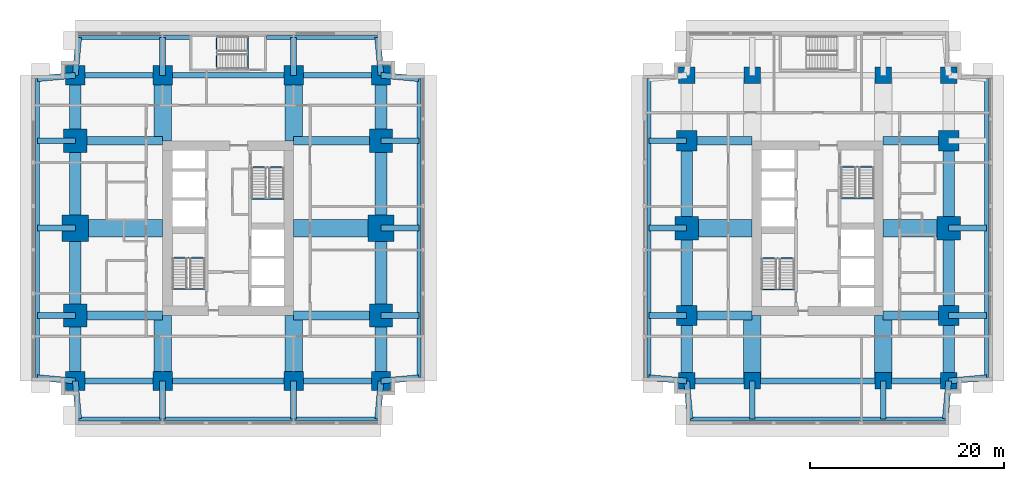
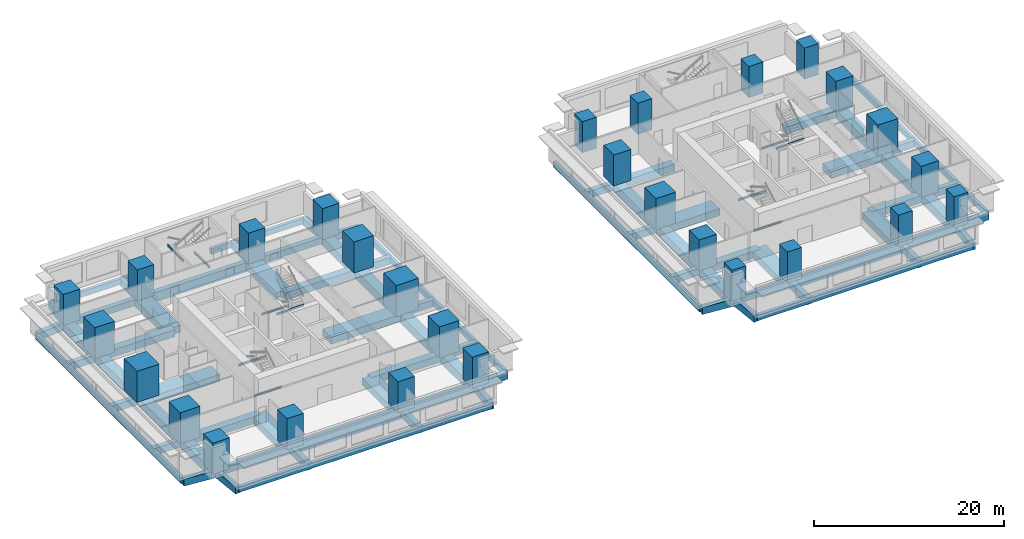
# One storey, part 1 of 11: 88 beams, 28 columns.
"""IFC4 building model written with IfcOpenShell, lengths in metres."""

from ifc_helpers import new_model, si_unit, direction, frame, origin, origin_2d, place, context, subcontext, project, spatial, rectangle, i_section, extrude, material, material_profile, profile_set, type_object, element, save


model = new_model("IFC4")

# Units and contexts
model_context = context("Model", 3, precision=1e-05, world=origin(), true_north=direction((0.0, 1.0)))
body_context = subcontext(model_context, "Body", "Model", "MODEL_VIEW")
ifc_project = project(units=[si_unit("LENGTHUNIT", "METRE"), si_unit("AREAUNIT", "SQUARE_METRE"), si_unit("VOLUMEUNIT", "CUBIC_METRE"), si_unit("PLANEANGLEUNIT", "RADIAN"), si_unit("MASSUNIT", "GRAM", prefix="KILO")], contexts=[model_context])

# Site, building, storey
site_placement = place(None, origin())
site = spatial("IfcSite", under=ifc_project, at=site_placement, CompositionType="ELEMENT")
building_placement = place(site_placement, origin())
building = spatial("IfcBuilding", under=site, at=building_placement, Name="Namib Vertical Campus", CompositionType="ELEMENT")
storey_placement = place(building_placement, frame((0.0, 0.0, 53.0)))
storey = spatial("IfcBuildingStorey", under=building, at=storey_placement, Name="L12", CompositionType="ELEMENT", Elevation=53.0)

# Columns
ifc_material_1 = material(Name="Concrete C60/75", Category="concrete")
ifc_material_profile_1 = material_profile(ifc_material_1, rectangle(XDim=1.699951171875, YDim=1.699951171875, at=origin_2d()))
ifc_profile_set_1 = profile_set([ifc_material_profile_1], Name="Concrete C60/75")
column_type_1 = type_object("IfcColumnType", Name="Column RC 1700x1700", PredefinedType="COLUMN", material=ifc_profile_set_1)
for number, where, z_axis, x_axis, name in (
    (1, (67.5, 4.5, 0.0), (0.0, 0.0, 1.0), (1.0, 0.0, 0.0), "Column C170 L12"),
    (2, (74.25, 4.5, 0.0), (0.0, 0.0, 1.0), (1.0, 0.0, 0.0), "Column C170 L12"),
    (3, (87.75, 4.5, 0.0), (0.0, 0.0, 1.0), (1.0, 0.0, 0.0), "Column C170 L12"),
    (4, (94.5, 4.5, 0.0), (0.0, 0.0, 1.0), (1.0, 0.0, 0.0), "Column C170 L12"),
    (5, (67.5, 36.0, 0.0), (0.0, 0.0, 1.0), (1.0, 0.0, 0.0), "Column C170 L12"),
    (6, (74.25, 36.0, 0.0), (0.0, 0.0, 1.0), (1.0, 0.0, 0.0), "Column C170 L12"),
    (7, (87.75, 36.0, 0.0), (0.0, 0.0, 1.0), (1.0, 0.0, 0.0), "Column C170 L12"),
    (8, (94.5, 36.0, 0.0), (0.0, 0.0, 1.0), (1.0, 0.0, 0.0), "Column C170 L12"),
):
    element("IfcColumn", number, at=place(storey_placement, frame(where, z_axis=z_axis, x_axis=x_axis)), inside=storey, type_object=column_type_1, Name=name, PredefinedType="COLUMN", context=body_context, shape_type="SweptSolid", body=[
        extrude(rectangle(XDim=1.699951171875, YDim=1.699951171875, at=origin_2d()), origin(), (0.0, 0.0, 1.0), 4.0),
    ])
ifc_material_2 = material(Name="Concrete C60/75", Category="concrete")
ifc_material_profile_2 = material_profile(ifc_material_2, rectangle(XDim=2.0, YDim=2.0, at=origin_2d()))
ifc_profile_set_2 = profile_set([ifc_material_profile_2], Name="Concrete C60/75")
column_type_2 = type_object("IfcColumnType", Name="Column RC 2000x2000", PredefinedType="COLUMN", material=ifc_profile_set_2)
for number, where, z_axis, x_axis, name in (
    (9, (4.5, 4.5, 0.0), (0.0, 0.0, 1.0), (1.0, 0.0, 0.0), "Column C200 L12"),
    (10, (13.5, 4.5, 0.0), (0.0, 0.0, 1.0), (1.0, 0.0, 0.0), "Column C200 L12"),
    (11, (27.0, 4.5, 0.0), (0.0, 0.0, 1.0), (1.0, 0.0, 0.0), "Column C200 L12"),
    (12, (36.0, 4.5, 0.0), (0.0, 0.0, 1.0), (1.0, 0.0, 0.0), "Column C200 L12"),
    (13, (4.5, 36.0, 0.0), (0.0, 0.0, 1.0), (1.0, 0.0, 0.0), "Column C200 L12"),
    (14, (13.5, 36.0, 0.0), (0.0, 0.0, 1.0), (1.0, 0.0, 0.0), "Column C200 L12"),
    (15, (27.0, 36.0, 0.0), (0.0, 0.0, 1.0), (1.0, 0.0, 0.0), "Column C200 L12"),
    (16, (36.0, 36.0, 0.0), (0.0, 0.0, 1.0), (1.0, 0.0, 0.0), "Column C200 L12"),
):
    element("IfcColumn", number, at=place(storey_placement, frame(where, z_axis=z_axis, x_axis=x_axis)), inside=storey, type_object=column_type_2, Name=name, PredefinedType="COLUMN", context=body_context, shape_type="SweptSolid", body=[
        extrude(rectangle(XDim=2.0, YDim=2.0, at=origin_2d()), origin(), (0.0, 0.0, 1.0), 4.0),
    ])
ifc_material_3 = material(Name="Concrete C60/75", Category="concrete")
ifc_material_profile_3 = material_profile(ifc_material_3, rectangle(XDim=2.10009765625, YDim=2.10009765625, at=origin_2d()))
ifc_profile_set_3 = profile_set([ifc_material_profile_3], Name="Concrete C60/75")
column_type_3 = type_object("IfcColumnType", Name="Column RC 2100x2100", PredefinedType="COLUMN", material=ifc_profile_set_3)
for number, where, z_axis, x_axis, name in (
    (17, (67.5, 11.25, 0.0), (0.0, 0.0, 1.0), (1.0, 0.0, 0.0), "Column C210 L12"),
    (18, (94.5, 11.25, 0.0), (0.0, 0.0, 1.0), (1.0, 0.0, 0.0), "Column C210 L12"),
    (19, (67.5, 29.25, 0.0), (0.0, 0.0, 1.0), (1.0, 0.0, 0.0), "Column C210 L12"),
    (20, (94.5, 29.25, 0.0), (0.0, 0.0, 1.0), (1.0, 0.0, 0.0), "Column C210 L12"),
):
    element("IfcColumn", number, at=place(storey_placement, frame(where, z_axis=z_axis, x_axis=x_axis)), inside=storey, type_object=column_type_3, Name=name, PredefinedType="COLUMN", context=body_context, shape_type="SweptSolid", body=[
        extrude(rectangle(XDim=2.10009765625, YDim=2.10009765625, at=origin_2d()), origin(), (0.0, 0.0, 1.0), 4.0),
    ])
ifc_material_4 = material(Name="Concrete C60/75", Category="concrete")
ifc_material_profile_4 = material_profile(ifc_material_4, rectangle(XDim=2.39990234375, YDim=2.39990234375, at=origin_2d()))
ifc_profile_set_4 = profile_set([ifc_material_profile_4], Name="Concrete C60/75")
column_type_4 = type_object("IfcColumnType", Name="Column RC 2400x2400", PredefinedType="COLUMN", material=ifc_profile_set_4)
for number, where, z_axis, x_axis, name in (
    (21, (4.5, 11.25, 0.0), (0.0, 0.0, 1.0), (1.0, 0.0, 0.0), "Column C240 L12"),
    (22, (36.0, 11.25, 0.0), (0.0, 0.0, 1.0), (1.0, 0.0, 0.0), "Column C240 L12"),
    (23, (4.5, 29.25, 0.0), (0.0, 0.0, 1.0), (1.0, 0.0, 0.0), "Column C240 L12"),
    (24, (36.0, 29.25, 0.0), (0.0, 0.0, 1.0), (1.0, 0.0, 0.0), "Column C240 L12"),
    (25, (67.5, 20.25, 0.0), (0.0, 0.0, 1.0), (1.0, 0.0, 0.0), "Column C240 L12"),
    (26, (94.5, 20.25, 0.0), (0.0, 0.0, 1.0), (1.0, 0.0, 0.0), "Column C240 L12"),
):
    element("IfcColumn", number, at=place(storey_placement, frame(where, z_axis=z_axis, x_axis=x_axis)), inside=storey, type_object=column_type_4, Name=name, PredefinedType="COLUMN", context=body_context, shape_type="SweptSolid", body=[
        extrude(rectangle(XDim=2.39990234375, YDim=2.39990234375, at=origin_2d()), origin(), (0.0, 0.0, 1.0), 4.0),
    ])
ifc_material_5 = material(Name="Concrete C60/75", Category="concrete")
ifc_material_profile_5 = material_profile(ifc_material_5, rectangle(XDim=2.699951171875, YDim=2.699951171875, at=origin_2d()))
ifc_profile_set_5 = profile_set([ifc_material_profile_5], Name="Concrete C60/75")
column_type_5 = type_object("IfcColumnType", Name="Column RC 2700x2700", PredefinedType="COLUMN", material=ifc_profile_set_5)
for number, where, z_axis, x_axis, name in (
    (27, (4.5, 20.25, 0.0), (0.0, 0.0, 1.0), (1.0, 0.0, 0.0), "Column C270 L12"),
    (28, (36.0, 20.25, 0.0), (0.0, 0.0, 1.0), (1.0, 0.0, 0.0), "Column C270 L12"),
):
    element("IfcColumn", number, at=place(storey_placement, frame(where, z_axis=z_axis, x_axis=x_axis)), inside=storey, type_object=column_type_5, Name=name, PredefinedType="COLUMN", context=body_context, shape_type="SweptSolid", body=[
        extrude(rectangle(XDim=2.699951171875, YDim=2.699951171875, at=origin_2d()), origin(), (0.0, 0.0, 1.0), 4.0),
    ])

# Beams
ifc_material_6 = material(Name="Concrete C40/50", Category="concrete")
ifc_material_profile_6 = material_profile(ifc_material_6, rectangle(XDim=0.60009765625, YDim=0.89990234375, at=origin_2d()))
ifc_profile_set_6 = profile_set([ifc_material_profile_6], Name="Concrete C40/50")
beam_type_1 = type_object("IfcBeamType", Name="Cantilever girder RC 600x900", PredefinedType="BEAM", material=ifc_profile_set_6)
beam_1_placement = place(storey_placement, frame((4.5, 4.5, -0.699951171875), z_axis=(0.089411326146, -0.995994786511, 0.0), x_axis=(0.995994786511, 0.089411326146, 0.0)))
element("IfcBeam", 29, at=beam_1_placement, inside=storey, type_object=beam_type_1, Name="Beam B3 L12", PredefinedType="BEAM", context=body_context, shape_type="SweptSolid", body=[
    extrude(rectangle(XDim=0.60009765625, YDim=0.89990234375, at=origin_2d()), origin(), (0.0, 0.0, 1.0), 3.91552734375),
])
for number, where, z_axis, x_axis, name in (
    (30, (13.5, 4.5, -0.699951171875), (0.0, -1.0, 0.0), (1.0, 0.0, 0.0), "Beam B3 L12"),
    (31, (27.0, 4.5, -0.699951171875), (0.0, -1.0, 0.0), (1.0, 0.0, 0.0), "Beam B3 L12"),
):
    element("IfcBeam", number, at=place(storey_placement, frame(where, z_axis=z_axis, x_axis=x_axis)), inside=storey, type_object=beam_type_1, Name=name, PredefinedType="BEAM", context=body_context, shape_type="SweptSolid", body=[
        extrude(rectangle(XDim=0.60009765625, YDim=0.89990234375, at=origin_2d()), origin(), (0.0, 0.0, 1.0), 3.89990234375),
    ])
for number, where, z_axis, x_axis, name in (
    (32, (36.0, 4.5, -0.699951171875), (-0.089411326146, -0.995994786511, 0.0), (0.995994786511, -0.089411326146, 0.0), "Beam B3 L12"),
    (33, (4.5, 36.0, -0.699951171875), (0.089411326146, 0.995994786511, 0.0), (-0.995994786511, 0.089411326146, 0.0), "Beam B3 L12"),
):
    element("IfcBeam", number, at=place(storey_placement, frame(where, z_axis=z_axis, x_axis=x_axis)), inside=storey, type_object=beam_type_1, Name=name, PredefinedType="BEAM", context=body_context, shape_type="SweptSolid", body=[
        extrude(rectangle(XDim=0.60009765625, YDim=0.89990234375, at=origin_2d()), origin(), (0.0, 0.0, 1.0), 3.91552734375),
    ])
for number, where, z_axis, x_axis, name in (
    (34, (13.5, 36.0, -0.699951171875), (0.0, 1.0, 0.0), (-1.0, 0.0, 0.0), "Beam B3 L12"),
    (35, (27.0, 36.0, -0.699951171875), (0.0, 1.0, 0.0), (-1.0, 0.0, 0.0), "Beam B3 L12"),
):
    element("IfcBeam", number, at=place(storey_placement, frame(where, z_axis=z_axis, x_axis=x_axis)), inside=storey, type_object=beam_type_1, Name=name, PredefinedType="BEAM", context=body_context, shape_type="SweptSolid", body=[
        extrude(rectangle(XDim=0.60009765625, YDim=0.89990234375, at=origin_2d()), origin(), (0.0, 0.0, 1.0), 3.89990234375),
    ])
for number, where, z_axis, x_axis, name in (
    (36, (36.0, 36.0, -0.699951171875), (-0.089411326146, 0.995994786511, 0.0), (-0.995994786511, -0.089411326146, 0.0), "Beam B3 L12"),
    (37, (4.5, 4.5, -0.699951171875), (-0.995994786511, 0.089411326146, 0.0), (-0.089411326146, -0.995994786511, 0.0), "Beam B3 L12"),
):
    element("IfcBeam", number, at=place(storey_placement, frame(where, z_axis=z_axis, x_axis=x_axis)), inside=storey, type_object=beam_type_1, Name=name, PredefinedType="BEAM", context=body_context, shape_type="SweptSolid", body=[
        extrude(rectangle(XDim=0.60009765625, YDim=0.89990234375, at=origin_2d()), origin(), (0.0, 0.0, 1.0), 3.91552734375),
    ])
for number, where, z_axis, x_axis, name in (
    (38, (4.5, 11.25, -0.699951171875), (-1.0, 0.0, 0.0), (0.0, -1.0, 0.0), "Beam B3 L12"),
    (39, (4.5, 20.25, -0.699951171875), (-1.0, 0.0, 0.0), (0.0, -1.0, 0.0), "Beam B3 L12"),
    (40, (4.5, 29.25, -0.699951171875), (-1.0, 0.0, 0.0), (0.0, -1.0, 0.0), "Beam B3 L12"),
):
    element("IfcBeam", number, at=place(storey_placement, frame(where, z_axis=z_axis, x_axis=x_axis)), inside=storey, type_object=beam_type_1, Name=name, PredefinedType="BEAM", context=body_context, shape_type="SweptSolid", body=[
        extrude(rectangle(XDim=0.60009765625, YDim=0.89990234375, at=origin_2d()), origin(), (0.0, 0.0, 1.0), 3.89990234375),
    ])
for number, where, z_axis, x_axis, name in (
    (41, (4.5, 36.0, -0.699951171875), (-0.995994786511, -0.089411326146, 0.0), (0.089411326146, -0.995994786511, 0.0), "Beam B3 L12"),
    (42, (36.0, 4.5, -0.699951171875), (0.995994786511, 0.089411326146, 0.0), (-0.089411326146, 0.995994786511, 0.0), "Beam B3 L12"),
):
    element("IfcBeam", number, at=place(storey_placement, frame(where, z_axis=z_axis, x_axis=x_axis)), inside=storey, type_object=beam_type_1, Name=name, PredefinedType="BEAM", context=body_context, shape_type="SweptSolid", body=[
        extrude(rectangle(XDim=0.60009765625, YDim=0.89990234375, at=origin_2d()), origin(), (0.0, 0.0, 1.0), 3.91552734375),
    ])
for number, where, z_axis, x_axis, name in (
    (43, (36.0, 11.25, -0.699951171875), (1.0, 0.0, 0.0), (0.0, 1.0, 0.0), "Beam B3 L12"),
    (44, (36.0, 20.25, -0.699951171875), (1.0, 0.0, 0.0), (0.0, 1.0, 0.0), "Beam B3 L12"),
    (45, (36.0, 29.25, -0.699951171875), (1.0, 0.0, 0.0), (0.0, 1.0, 0.0), "Beam B3 L12"),
):
    element("IfcBeam", number, at=place(storey_placement, frame(where, z_axis=z_axis, x_axis=x_axis)), inside=storey, type_object=beam_type_1, Name=name, PredefinedType="BEAM", context=body_context, shape_type="SweptSolid", body=[
        extrude(rectangle(XDim=0.60009765625, YDim=0.89990234375, at=origin_2d()), origin(), (0.0, 0.0, 1.0), 3.89990234375),
    ])
for number, where, z_axis, x_axis, name in (
    (46, (36.0, 36.0, -0.699951171875), (0.995994786511, -0.089411326146, 0.0), (0.089411326146, 0.995994786511, 0.0), "Beam B3 L12"),
    (47, (67.5, 4.5, -0.699951171875), (0.089411326146, -0.995994786511, 0.0), (0.995994786511, 0.089411326146, 0.0), "Beam B3 L12"),
):
    element("IfcBeam", number, at=place(storey_placement, frame(where, z_axis=z_axis, x_axis=x_axis)), inside=storey, type_object=beam_type_1, Name=name, PredefinedType="BEAM", context=body_context, shape_type="SweptSolid", body=[
        extrude(rectangle(XDim=0.60009765625, YDim=0.89990234375, at=origin_2d()), origin(), (0.0, 0.0, 1.0), 3.91552734375),
    ])
for number, where, z_axis, x_axis, name in (
    (48, (74.25, 4.5, -0.699951171875), (0.0, -1.0, 0.0), (1.0, 0.0, 0.0), "Beam B3 L12"),
    (49, (87.75, 4.5, -0.699951171875), (0.0, -1.0, 0.0), (1.0, 0.0, 0.0), "Beam B3 L12"),
):
    element("IfcBeam", number, at=place(storey_placement, frame(where, z_axis=z_axis, x_axis=x_axis)), inside=storey, type_object=beam_type_1, Name=name, PredefinedType="BEAM", context=body_context, shape_type="SweptSolid", body=[
        extrude(rectangle(XDim=0.60009765625, YDim=0.89990234375, at=origin_2d()), origin(), (0.0, 0.0, 1.0), 3.89990234375),
    ])
for number, where, z_axis, x_axis, name in (
    (50, (94.5, 4.5, -0.699951171875), (-0.089411326146, -0.995994786511, 0.0), (0.995994786511, -0.089411326146, 0.0), "Beam B3 L12"),
    (51, (67.5, 4.5, -0.699951171875), (-0.995994786511, 0.089411326146, 0.0), (-0.089411326146, -0.995994786511, 0.0), "Beam B3 L12"),
):
    element("IfcBeam", number, at=place(storey_placement, frame(where, z_axis=z_axis, x_axis=x_axis)), inside=storey, type_object=beam_type_1, Name=name, PredefinedType="BEAM", context=body_context, shape_type="SweptSolid", body=[
        extrude(rectangle(XDim=0.60009765625, YDim=0.89990234375, at=origin_2d()), origin(), (0.0, 0.0, 1.0), 3.91552734375),
    ])
for number, where, z_axis, x_axis, name in (
    (52, (67.5, 11.25, -0.699951171875), (-1.0, 0.0, 0.0), (0.0, -1.0, 0.0), "Beam B3 L12"),
    (53, (67.5, 20.25, -0.699951171875), (-1.0, 0.0, 0.0), (0.0, -1.0, 0.0), "Beam B3 L12"),
    (54, (67.5, 29.25, -0.699951171875), (-1.0, 0.0, 0.0), (0.0, -1.0, 0.0), "Beam B3 L12"),
):
    element("IfcBeam", number, at=place(storey_placement, frame(where, z_axis=z_axis, x_axis=x_axis)), inside=storey, type_object=beam_type_1, Name=name, PredefinedType="BEAM", context=body_context, shape_type="SweptSolid", body=[
        extrude(rectangle(XDim=0.60009765625, YDim=0.89990234375, at=origin_2d()), origin(), (0.0, 0.0, 1.0), 3.89990234375),
    ])
beam_2_placement = place(storey_placement, frame((94.5, 4.5, -0.699951171875), z_axis=(0.995994786511, 0.089411326146, 0.0), x_axis=(-0.089411326146, 0.995994786511, 0.0)))
element("IfcBeam", 55, at=beam_2_placement, inside=storey, type_object=beam_type_1, Name="Beam B3 L12", PredefinedType="BEAM", context=body_context, shape_type="SweptSolid", body=[
    extrude(rectangle(XDim=0.60009765625, YDim=0.89990234375, at=origin_2d()), origin(), (0.0, 0.0, 1.0), 3.91552734375),
])
for number, where, z_axis, x_axis, name in (
    (56, (94.5, 11.25, -0.699951171875), (1.0, 0.0, 0.0), (0.0, 1.0, 0.0), "Beam B3 L12"),
    (57, (94.5, 20.25, -0.699951171875), (1.0, 0.0, 0.0), (0.0, 1.0, 0.0), "Beam B3 L12"),
):
    element("IfcBeam", number, at=place(storey_placement, frame(where, z_axis=z_axis, x_axis=x_axis)), inside=storey, type_object=beam_type_1, Name=name, PredefinedType="BEAM", context=body_context, shape_type="SweptSolid", body=[
        extrude(rectangle(XDim=0.60009765625, YDim=0.89990234375, at=origin_2d()), origin(), (0.0, 0.0, 1.0), 3.89990234375),
    ])
ifc_material_7 = material(Name="Concrete C40/50", Category="concrete")
ifc_material_profile_7 = material_profile(ifc_material_7, rectangle(XDim=0.39990234375, YDim=0.699951171875, at=origin_2d()))
ifc_profile_set_7 = profile_set([ifc_material_profile_7], Name="Concrete C40/50")
beam_type_2 = type_object("IfcBeamType", Name="Edge beam RC 400x700", PredefinedType="SPANDREL", material=ifc_profile_set_7)
beam_3_placement = place(storey_placement, frame((4.85009765625, 0.60009765625, -0.60009765625), z_axis=(1.0, 0.0, 0.0), x_axis=(0.0, 1.0, 0.0)))
element("IfcBeam", 58, at=beam_3_placement, inside=storey, type_object=beam_type_2, Name="Beam B4 L12", PredefinedType="SPANDREL", context=body_context, shape_type="SweptSolid", body=[
    extrude(rectangle(XDim=0.39990234375, YDim=0.699951171875, at=origin_2d()), origin(), (0.0, 0.0, 1.0), 30.7998046875),
])
for number, where, z_axis, x_axis, name in (
    (59, (4.85009765625, 39.89990234375, -0.60009765625), (1.0, 0.0, 0.0), (0.0, 1.0, 0.0), "Beam B4 L12"),
    (60, (24.199951171875, 39.89990234375, -0.60009765625), (1.0, 0.0, 0.0), (0.0, 1.0, 0.0), "Beam B4 L12"),
):
    element("IfcBeam", number, at=place(storey_placement, frame(where, z_axis=z_axis, x_axis=x_axis)), inside=storey, type_object=beam_type_2, Name=name, PredefinedType="SPANDREL", context=body_context, shape_type="SweptSolid", body=[
        extrude(rectangle(XDim=0.39990234375, YDim=0.699951171875, at=origin_2d()), origin(), (0.0, 0.0, 1.0), 11.449951171875),
    ])
for number, where, z_axis, x_axis, name in (
    (61, (0.60009765625, 4.85009765625, -0.60009765625), (0.0, 1.0, 0.0), (-1.0, 0.0, 0.0), "Beam B4 L12"),
    (62, (39.89990234375, 4.85009765625, -0.60009765625), (0.0, 1.0, 0.0), (-1.0, 0.0, 0.0), "Beam B4 L12"),
):
    element("IfcBeam", number, at=place(storey_placement, frame(where, z_axis=z_axis, x_axis=x_axis)), inside=storey, type_object=beam_type_2, Name=name, PredefinedType="SPANDREL", context=body_context, shape_type="SweptSolid", body=[
        extrude(rectangle(XDim=0.39990234375, YDim=0.699951171875, at=origin_2d()), origin(), (0.0, 0.0, 1.0), 30.7998046875),
    ])
beam_4_placement = place(storey_placement, frame((67.85009765625, 0.60009765625, -0.60009765625), z_axis=(1.0, 0.0, 0.0), x_axis=(0.0, 1.0, 0.0)))
element("IfcBeam", 63, at=beam_4_placement, inside=storey, type_object=beam_type_2, Name="Beam B4 L12", PredefinedType="SPANDREL", context=body_context, shape_type="SweptSolid", body=[
    extrude(rectangle(XDim=0.39990234375, YDim=0.699951171875, at=origin_2d()), origin(), (0.0, 0.0, 1.0), 26.2998046875),
])
for number, where, z_axis, x_axis, name in (
    (64, (63.60009765625, 4.85009765625, -0.60009765625), (0.0, 1.0, 0.0), (-1.0, 0.0, 0.0), "Beam B4 L12"),
    (65, (98.39990234375, 4.85009765625, -0.60009765625), (0.0, 1.0, 0.0), (-1.0, 0.0, 0.0), "Beam B4 L12"),
):
    element("IfcBeam", number, at=place(storey_placement, frame(where, z_axis=z_axis, x_axis=x_axis)), inside=storey, type_object=beam_type_2, Name=name, PredefinedType="SPANDREL", context=body_context, shape_type="SweptSolid", body=[
        extrude(rectangle(XDim=0.39990234375, YDim=0.699951171875, at=origin_2d()), origin(), (0.0, 0.0, 1.0), 30.7998046875),
    ])
ifc_material_8 = material(Name="Concrete C40/50", Category="concrete")
ifc_material_profile_8 = material_profile(ifc_material_8, rectangle(XDim=0.89990234375, YDim=0.89990234375, at=origin_2d()))
ifc_profile_set_8 = profile_set([ifc_material_profile_8], Name="Concrete C40/50")
beam_type_3 = type_object("IfcBeamType", Name="Face girder RC 900x900", PredefinedType="BEAM", material=ifc_profile_set_8)
for number, where, z_axis, x_axis, name in (
    (66, (4.5, 11.25, -0.699951171875), (1.0, 0.0, 0.0), (0.0, 1.0, 0.0), "Beam B10 L12"),
    (67, (36.0, 11.25, -0.699951171875), (-1.0, 0.0, 0.0), (0.0, -1.0, 0.0), "Beam B10 L12"),
    (68, (4.5, 29.25, -0.699951171875), (1.0, 0.0, 0.0), (0.0, 1.0, 0.0), "Beam B10 L12"),
    (69, (36.0, 29.25, -0.699951171875), (-1.0, 0.0, 0.0), (0.0, -1.0, 0.0), "Beam B10 L12"),
):
    element("IfcBeam", number, at=place(storey_placement, frame(where, z_axis=z_axis, x_axis=x_axis)), inside=storey, type_object=beam_type_3, Name=name, PredefinedType="BEAM", context=body_context, shape_type="SweptSolid", body=[
        extrude(rectangle(XDim=0.89990234375, YDim=0.89990234375, at=origin_2d()), origin(), (0.0, 0.0, 1.0), 9.0),
    ])
for number, where, z_axis, x_axis, name in (
    (70, (67.5, 11.25, -0.699951171875), (1.0, 0.0, 0.0), (0.0, 1.0, 0.0), "Beam B10 L12"),
    (71, (94.5, 11.25, -0.699951171875), (-1.0, 0.0, 0.0), (0.0, -1.0, 0.0), "Beam B10 L12"),
    (72, (67.5, 29.25, -0.699951171875), (1.0, 0.0, 0.0), (0.0, 1.0, 0.0), "Beam B10 L12"),
    (73, (94.5, 29.25, -0.699951171875), (-1.0, 0.0, 0.0), (0.0, -1.0, 0.0), "Beam B10 L12"),
):
    element("IfcBeam", number, at=place(storey_placement, frame(where, z_axis=z_axis, x_axis=x_axis)), inside=storey, type_object=beam_type_3, Name=name, PredefinedType="BEAM", context=body_context, shape_type="SweptSolid", body=[
        extrude(rectangle(XDim=0.89990234375, YDim=0.89990234375, at=origin_2d()), origin(), (0.0, 0.0, 1.0), 6.75),
    ])
ifc_material_9 = material(Name="Concrete C40/50", Category="concrete")
ifc_material_profile_9 = material_profile(ifc_material_9, rectangle(XDim=1.199951171875, YDim=1.10009765625, at=origin_2d()))
ifc_profile_set_9 = profile_set([ifc_material_profile_9], Name="Concrete C40/50")
beam_type_4 = type_object("IfcBeamType", Name="Face ring beam RC 1200x1100", PredefinedType="BEAM", material=ifc_profile_set_9)
beam_5_placement = place(storey_placement, frame((4.5, 4.5, -0.800048828125), z_axis=(0.0, 1.0, 0.0), x_axis=(-1.0, 0.0, 0.0)))
element("IfcBeam", 74, at=beam_5_placement, inside=storey, type_object=beam_type_4, Name="Beam B11 L12", PredefinedType="BEAM", context=body_context, shape_type="SweptSolid", body=[
    extrude(rectangle(XDim=1.199951171875, YDim=1.10009765625, at=origin_2d()), origin(), (0.0, 0.0, 1.0), 6.75),
])
for number, where, z_axis, x_axis, name in (
    (75, (4.5, 11.25, -0.800048828125), (0.0, 1.0, 0.0), (-1.0, 0.0, 0.0), "Beam B11 L12"),
    (76, (4.5, 20.25, -0.800048828125), (0.0, 1.0, 0.0), (-1.0, 0.0, 0.0), "Beam B11 L12"),
):
    element("IfcBeam", number, at=place(storey_placement, frame(where, z_axis=z_axis, x_axis=x_axis)), inside=storey, type_object=beam_type_4, Name=name, PredefinedType="BEAM", context=body_context, shape_type="SweptSolid", body=[
        extrude(rectangle(XDim=1.199951171875, YDim=1.10009765625, at=origin_2d()), origin(), (0.0, 0.0, 1.0), 9.0),
    ])
for number, where, z_axis, x_axis, name in (
    (77, (4.5, 29.25, -0.800048828125), (0.0, 1.0, 0.0), (-1.0, 0.0, 0.0), "Beam B11 L12"),
    (78, (36.0, 4.5, -0.800048828125), (0.0, 1.0, 0.0), (-1.0, 0.0, 0.0), "Beam B11 L12"),
):
    element("IfcBeam", number, at=place(storey_placement, frame(where, z_axis=z_axis, x_axis=x_axis)), inside=storey, type_object=beam_type_4, Name=name, PredefinedType="BEAM", context=body_context, shape_type="SweptSolid", body=[
        extrude(rectangle(XDim=1.199951171875, YDim=1.10009765625, at=origin_2d()), origin(), (0.0, 0.0, 1.0), 6.75),
    ])
for number, where, z_axis, x_axis, name in (
    (79, (36.0, 11.25, -0.800048828125), (0.0, 1.0, 0.0), (-1.0, 0.0, 0.0), "Beam B11 L12"),
    (80, (36.0, 20.25, -0.800048828125), (0.0, 1.0, 0.0), (-1.0, 0.0, 0.0), "Beam B11 L12"),
):
    element("IfcBeam", number, at=place(storey_placement, frame(where, z_axis=z_axis, x_axis=x_axis)), inside=storey, type_object=beam_type_4, Name=name, PredefinedType="BEAM", context=body_context, shape_type="SweptSolid", body=[
        extrude(rectangle(XDim=1.199951171875, YDim=1.10009765625, at=origin_2d()), origin(), (0.0, 0.0, 1.0), 9.0),
    ])
for number, where, z_axis, x_axis, name in (
    (81, (36.0, 29.25, -0.800048828125), (0.0, 1.0, 0.0), (-1.0, 0.0, 0.0), "Beam B11 L12"),
    (82, (67.5, 4.5, -0.800048828125), (0.0, 1.0, 0.0), (-1.0, 0.0, 0.0), "Beam B11 L12"),
):
    element("IfcBeam", number, at=place(storey_placement, frame(where, z_axis=z_axis, x_axis=x_axis)), inside=storey, type_object=beam_type_4, Name=name, PredefinedType="BEAM", context=body_context, shape_type="SweptSolid", body=[
        extrude(rectangle(XDim=1.199951171875, YDim=1.10009765625, at=origin_2d()), origin(), (0.0, 0.0, 1.0), 6.75),
    ])
for number, where, z_axis, x_axis, name in (
    (83, (67.5, 11.25, -0.800048828125), (0.0, 1.0, 0.0), (-1.0, 0.0, 0.0), "Beam B11 L12"),
    (84, (67.5, 20.25, -0.800048828125), (0.0, 1.0, 0.0), (-1.0, 0.0, 0.0), "Beam B11 L12"),
):
    element("IfcBeam", number, at=place(storey_placement, frame(where, z_axis=z_axis, x_axis=x_axis)), inside=storey, type_object=beam_type_4, Name=name, PredefinedType="BEAM", context=body_context, shape_type="SweptSolid", body=[
        extrude(rectangle(XDim=1.199951171875, YDim=1.10009765625, at=origin_2d()), origin(), (0.0, 0.0, 1.0), 9.0),
    ])
beam_6_placement = place(storey_placement, frame((94.5, 4.5, -0.800048828125), z_axis=(0.0, 1.0, 0.0), x_axis=(-1.0, 0.0, 0.0)))
element("IfcBeam", 85, at=beam_6_placement, inside=storey, type_object=beam_type_4, Name="Beam B11 L12", PredefinedType="BEAM", context=body_context, shape_type="SweptSolid", body=[
    extrude(rectangle(XDim=1.199951171875, YDim=1.10009765625, at=origin_2d()), origin(), (0.0, 0.0, 1.0), 6.75),
])
for number, where, z_axis, x_axis, name in (
    (86, (94.5, 11.25, -0.800048828125), (0.0, 1.0, 0.0), (-1.0, 0.0, 0.0), "Beam B11 L12"),
    (87, (94.5, 20.25, -0.800048828125), (0.0, 1.0, 0.0), (-1.0, 0.0, 0.0), "Beam B11 L12"),
):
    element("IfcBeam", number, at=place(storey_placement, frame(where, z_axis=z_axis, x_axis=x_axis)), inside=storey, type_object=beam_type_4, Name=name, PredefinedType="BEAM", context=body_context, shape_type="SweptSolid", body=[
        extrude(rectangle(XDim=1.199951171875, YDim=1.10009765625, at=origin_2d()), origin(), (0.0, 0.0, 1.0), 9.0),
    ])
ifc_material_10 = material(Name="Steel S355JR", Category="steel")
ifc_material_profile_10 = material_profile(ifc_material_10, i_section(OverallWidth=0.14599609375, OverallDepth=0.25146484375, WebThickness=0.006103515625, FlangeThickness=0.008544921875, FilletRadius=0.007568359375, at=origin_2d()))
ifc_profile_set_10 = profile_set([ifc_material_profile_10], Name="Steel S355JR")
beam_type_5 = type_object("IfcBeamType", Name="Landing trimmer UB 254x146x31", PredefinedType="BEAM", material=ifc_profile_set_10)
for number, where, z_axis, x_axis, name in (
    (88, (14.5, 13.97705078125, -0.125732421875), (1.0, 0.0, 0.0), (0.0, 1.0, 0.0), "Landing trimmer LT1 A-S1 L12 1"),
    (89, (14.5, 17.203125, 1.874267578125), (1.0, 0.0, 0.0), (0.0, 1.0, 0.0), "Landing trimmer LT1 A-S1 L12 2"),
    (90, (22.64990234375, 26.52294921875, -0.125732421875), (1.0, 0.0, 0.0), (0.0, 1.0, 0.0), "Landing trimmer LT1 A-S2 L12 1"),
    (91, (22.64990234375, 23.296875, 1.874267578125), (1.0, 0.0, 0.0), (0.0, 1.0, 0.0), "Landing trimmer LT1 A-S2 L12 2"),
):
    element("IfcBeam", number, at=place(storey_placement, frame(where, z_axis=z_axis, x_axis=x_axis)), inside=storey, type_object=beam_type_5, Name=name, PredefinedType="BEAM", context=body_context, shape_type="SweptSolid", body=[
        extrude(i_section(OverallWidth=0.14599609375, OverallDepth=0.25146484375, WebThickness=0.006103515625, FlangeThickness=0.008544921875, FilletRadius=0.007568359375, at=origin_2d()), origin(), (0.0, 0.0, 1.0), 3.35009765625),
    ])
for number, where, z_axis, x_axis, name in (
    (92, (75.199951171875, 13.927001953125, -0.125732421875), (1.0, 0.0, 0.0), (0.0, 1.0, 0.0), "Landing trimmer LT1 B-S1 L12 1"),
    (93, (75.199951171875, 17.153076171875, 1.874267578125), (1.0, 0.0, 0.0), (0.0, 1.0, 0.0), "Landing trimmer LT1 B-S1 L12 2"),
    (94, (83.39990234375, 26.572998046875, -0.125732421875), (1.0, 0.0, 0.0), (0.0, 1.0, 0.0), "Landing trimmer LT1 B-S2 L12 1"),
    (95, (83.39990234375, 23.346923828125, 1.874267578125), (1.0, 0.0, 0.0), (0.0, 1.0, 0.0), "Landing trimmer LT1 B-S2 L12 2"),
):
    element("IfcBeam", number, at=place(storey_placement, frame(where, z_axis=z_axis, x_axis=x_axis)), inside=storey, type_object=beam_type_5, Name=name, PredefinedType="BEAM", context=body_context, shape_type="SweptSolid", body=[
        extrude(i_section(OverallWidth=0.14599609375, OverallDepth=0.25146484375, WebThickness=0.006103515625, FlangeThickness=0.008544921875, FilletRadius=0.007568359375, at=origin_2d()), origin(), (0.0, 0.0, 1.0), 3.400146484375),
    ])
for number, where, z_axis, x_axis, name in (
    (96, (22.27294921875, 36.64990234375, -0.125732421875), (0.0, 1.0, 0.0), (-1.0, 0.0, 0.0), "Landing trimmer LT1 A-S3 L12 1"),
    (97, (19.046875, 36.64990234375, 1.874267578125), (0.0, 1.0, 0.0), (-1.0, 0.0, 0.0), "Landing trimmer LT1 A-S3 L12 2"),
):
    element("IfcBeam", number, at=place(storey_placement, frame(where, z_axis=z_axis, x_axis=x_axis)), inside=storey, type_object=beam_type_5, Name=name, PredefinedType="BEAM", context=body_context, shape_type="SweptSolid", body=[
        extrude(i_section(OverallWidth=0.14599609375, OverallDepth=0.25146484375, WebThickness=0.006103515625, FlangeThickness=0.008544921875, FilletRadius=0.007568359375, at=origin_2d()), origin(), (0.0, 0.0, 1.0), 3.35009765625),
    ])
ifc_material_11 = material(Name="Concrete C40/50", Category="concrete")
ifc_material_profile_11 = material_profile(ifc_material_11, rectangle(XDim=0.60009765625, YDim=1.199951171875, at=origin_2d()))
ifc_profile_set_11 = profile_set([ifc_material_profile_11], Name="Concrete C40/50")
beam_type_6 = type_object("IfcBeamType", Name="Long-span ring beam RC 600x1200", PredefinedType="BEAM", material=ifc_profile_set_11)
for number, where, z_axis, x_axis, name in (
    (98, (13.5, 4.5, -0.85009765625), (1.0, 0.0, 0.0), (0.0, 1.0, 0.0), "Beam B9 L12"),
    (99, (13.5, 36.0, -0.85009765625), (1.0, 0.0, 0.0), (0.0, 1.0, 0.0), "Beam B9 L12"),
    (100, (74.25, 4.5, -0.85009765625), (1.0, 0.0, 0.0), (0.0, 1.0, 0.0), "Beam B9 L12"),
):
    element("IfcBeam", number, at=place(storey_placement, frame(where, z_axis=z_axis, x_axis=x_axis)), inside=storey, type_object=beam_type_6, Name=name, PredefinedType="BEAM", context=body_context, shape_type="SweptSolid", body=[
        extrude(rectangle(XDim=0.60009765625, YDim=1.199951171875, at=origin_2d()), origin(), (0.0, 0.0, 1.0), 13.5),
    ])
ifc_material_12 = material(Name="Concrete C40/50", Category="concrete")
ifc_material_profile_12 = material_profile(ifc_material_12, rectangle(XDim=1.800048828125, YDim=0.89990234375, at=origin_2d()))
ifc_profile_set_12 = profile_set([ifc_material_profile_12], Name="Concrete C40/50")
beam_type_7 = type_object("IfcBeamType", Name="Outrigger line girder RC 1800x900", PredefinedType="BEAM", material=ifc_profile_set_12)
for number, where, z_axis, x_axis, name in (
    (101, (13.5, 4.5, -0.699951171875), (0.0, 1.0, 0.0), (-1.0, 0.0, 0.0), "Beam B12 L12"),
    (102, (13.5, 36.0, -0.699951171875), (0.0, -1.0, 0.0), (1.0, 0.0, 0.0), "Beam B12 L12"),
    (103, (27.0, 4.5, -0.699951171875), (0.0, 1.0, 0.0), (-1.0, 0.0, 0.0), "Beam B12 L12"),
    (104, (27.0, 36.0, -0.699951171875), (0.0, -1.0, 0.0), (1.0, 0.0, 0.0), "Beam B12 L12"),
):
    element("IfcBeam", number, at=place(storey_placement, frame(where, z_axis=z_axis, x_axis=x_axis)), inside=storey, type_object=beam_type_7, Name=name, PredefinedType="BEAM", context=body_context, shape_type="SweptSolid", body=[
        extrude(rectangle(XDim=1.800048828125, YDim=0.89990234375, at=origin_2d()), origin(), (0.0, 0.0, 1.0), 6.75),
    ])
for number, where, z_axis, x_axis, name in (
    (105, (4.5, 20.25, -0.699951171875), (1.0, 0.0, 0.0), (0.0, 1.0, 0.0), "Beam B12 L12"),
    (106, (36.0, 20.25, -0.699951171875), (-1.0, 0.0, 0.0), (0.0, -1.0, 0.0), "Beam B12 L12"),
):
    element("IfcBeam", number, at=place(storey_placement, frame(where, z_axis=z_axis, x_axis=x_axis)), inside=storey, type_object=beam_type_7, Name=name, PredefinedType="BEAM", context=body_context, shape_type="SweptSolid", body=[
        extrude(rectangle(XDim=1.800048828125, YDim=0.89990234375, at=origin_2d()), origin(), (0.0, 0.0, 1.0), 9.0),
    ])
for number, where, z_axis, x_axis, name in (
    (107, (74.25, 4.5, -0.699951171875), (0.0, 1.0, 0.0), (-1.0, 0.0, 0.0), "Beam B12 L12"),
    (108, (87.75, 4.5, -0.699951171875), (0.0, 1.0, 0.0), (-1.0, 0.0, 0.0), "Beam B12 L12"),
    (109, (67.5, 20.25, -0.699951171875), (1.0, 0.0, 0.0), (0.0, 1.0, 0.0), "Beam B12 L12"),
    (110, (94.5, 20.25, -0.699951171875), (-1.0, 0.0, 0.0), (0.0, -1.0, 0.0), "Beam B12 L12"),
):
    element("IfcBeam", number, at=place(storey_placement, frame(where, z_axis=z_axis, x_axis=x_axis)), inside=storey, type_object=beam_type_7, Name=name, PredefinedType="BEAM", context=body_context, shape_type="SweptSolid", body=[
        extrude(rectangle(XDim=1.800048828125, YDim=0.89990234375, at=origin_2d()), origin(), (0.0, 0.0, 1.0), 6.75),
    ])
ifc_material_13 = material(Name="Concrete C40/50", Category="concrete")
ifc_material_profile_13 = material_profile(ifc_material_13, rectangle(XDim=0.60009765625, YDim=0.800048828125, at=origin_2d()))
ifc_profile_set_13 = profile_set([ifc_material_profile_13], Name="Concrete C40/50")
beam_type_8 = type_object("IfcBeamType", Name="Ring beam RC 600x800", PredefinedType="BEAM", material=ifc_profile_set_13)
for number, where, z_axis, x_axis, name in (
    (111, (4.5, 4.5, -0.64990234375), (1.0, 0.0, 0.0), (0.0, 1.0, 0.0), "Beam B1 L12"),
    (112, (27.0, 4.5, -0.64990234375), (1.0, 0.0, 0.0), (0.0, 1.0, 0.0), "Beam B1 L12"),
    (113, (4.5, 36.0, -0.64990234375), (1.0, 0.0, 0.0), (0.0, 1.0, 0.0), "Beam B1 L12"),
    (114, (27.0, 36.0, -0.64990234375), (1.0, 0.0, 0.0), (0.0, 1.0, 0.0), "Beam B1 L12"),
):
    element("IfcBeam", number, at=place(storey_placement, frame(where, z_axis=z_axis, x_axis=x_axis)), inside=storey, type_object=beam_type_8, Name=name, PredefinedType="BEAM", context=body_context, shape_type="SweptSolid", body=[
        extrude(rectangle(XDim=0.60009765625, YDim=0.800048828125, at=origin_2d()), origin(), (0.0, 0.0, 1.0), 9.0),
    ])
for number, where, z_axis, x_axis, name in (
    (115, (67.5, 4.5, -0.64990234375), (1.0, 0.0, 0.0), (0.0, 1.0, 0.0), "Beam B1 L12"),
    (116, (87.75, 4.5, -0.64990234375), (1.0, 0.0, 0.0), (0.0, 1.0, 0.0), "Beam B1 L12"),
):
    element("IfcBeam", number, at=place(storey_placement, frame(where, z_axis=z_axis, x_axis=x_axis)), inside=storey, type_object=beam_type_8, Name=name, PredefinedType="BEAM", context=body_context, shape_type="SweptSolid", body=[
        extrude(rectangle(XDim=0.60009765625, YDim=0.800048828125, at=origin_2d()), origin(), (0.0, 0.0, 1.0), 6.75),
    ])

save(model, "model.ifc")
